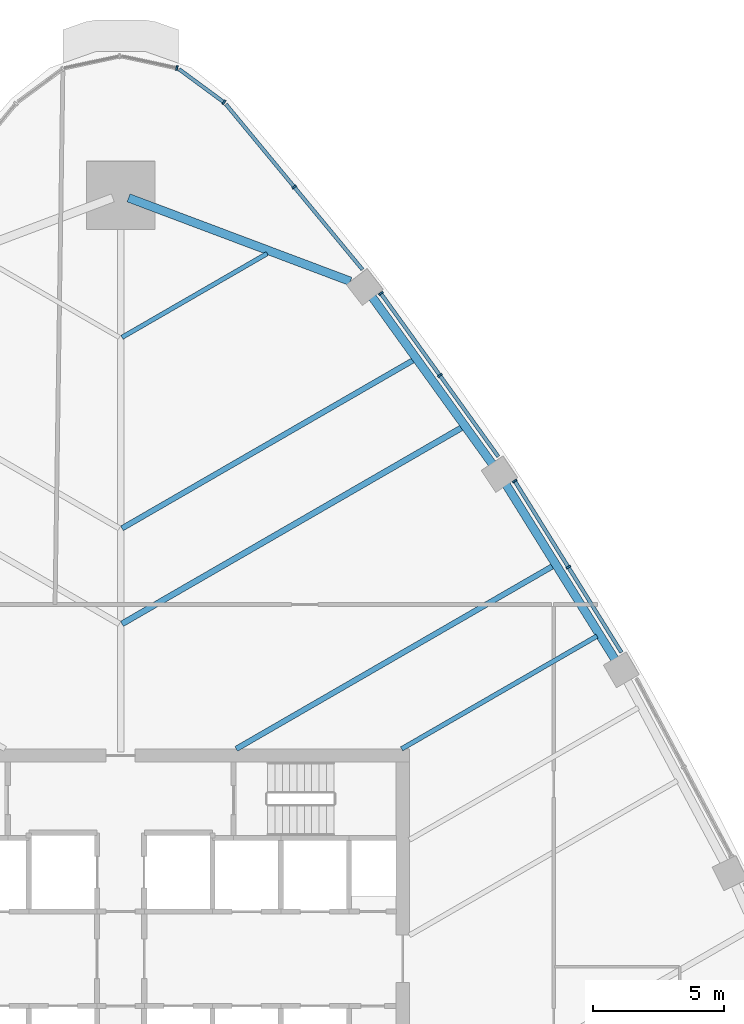
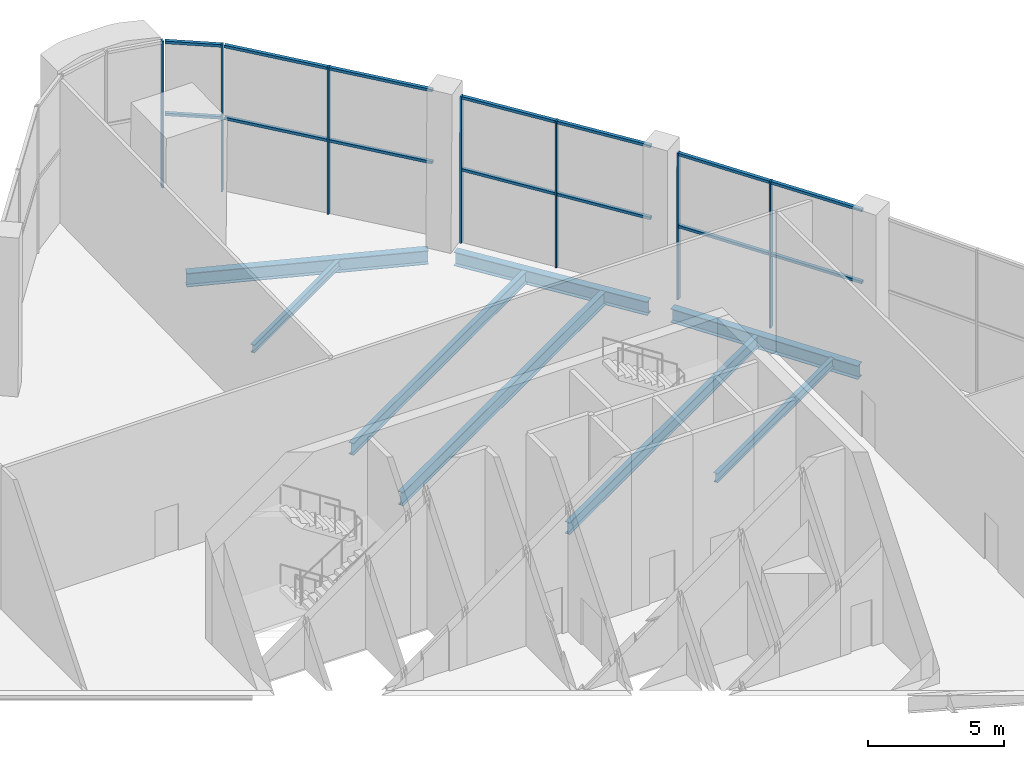
# One storey, part 7 of 15: 21 members, 8 beams, 5 elements without a shape of their own.
"""IFC4 building model written with IfcOpenShell, lengths in metres."""

from ifc_helpers import new_model, si_unit, direction, frame, origin, origin_2d, place, context, subcontext, project, spatial, rectangle, i_section, extrude, material, layer, layer_set, material_profile, profile_set, type_object, element, aggregate, save


model = new_model("IFC4")

# Units and contexts
model_context = context("Model", 3, precision=1e-05, world=origin(), true_north=direction((0.0, 1.0)))
body_context = subcontext(model_context, "Body", "Model", "MODEL_VIEW")
ifc_project = project(units=[si_unit("LENGTHUNIT", "METRE"), si_unit("AREAUNIT", "SQUARE_METRE"), si_unit("VOLUMEUNIT", "CUBIC_METRE"), si_unit("PLANEANGLEUNIT", "RADIAN"), si_unit("MASSUNIT", "GRAM", prefix="KILO")], contexts=[model_context])

# Site, building, storey
site_placement = place(None, origin())
site = spatial("IfcSite", under=ifc_project, at=site_placement, CompositionType="ELEMENT")
building_placement = place(site_placement, origin())
building = spatial("IfcBuilding", under=site, at=building_placement, Name="Sierra Prisma Convention Tower", CompositionType="ELEMENT")
storey_placement = place(building_placement, frame((0.0, 0.0, 118.60009765625)))
storey = spatial("IfcBuildingStorey", under=building, at=storey_placement, Name="L25", CompositionType="ELEMENT", Elevation=118.60009765625)

# Curtain wall, members
ifc_material_1 = material(Name="Aluminium and glass curtain wall", Category="aluminium")
ifc_layer = layer(ifc_material_1, 0.179931640625)
ifc_layer_set = layer_set([ifc_layer], Name="CW-4 Sky lobby double-height curtain wall")
curtain_wall_type = type_object("IfcCurtainWallType", Name="CW-4 Sky lobby double-height curtain wall", PredefinedType="NOTDEFINED", material=ifc_layer_set)
curtain_wall_1_placement = place(storey_placement, origin())
curtain_wall_1 = element("IfcCurtainWall", 1, at=curtain_wall_1_placement, inside=storey, type_object=curtain_wall_type, Name="CW-4 NE4 L25", PredefinedType="NOTDEFINED")
ifc_material_2 = material(Name="Aluminium 6063-T6 bronze anodised", Category="aluminium")
ifc_material_profile_1 = material_profile(ifc_material_2, rectangle(XDim=0.179931640625, YDim=0.070068359375, at=origin_2d()), Name="ALU MULLION 70x180")
ifc_profile_set_1 = profile_set([ifc_material_profile_1], Name="Aluminium 6063-T6 bronze anodised")
member_type_1 = type_object("IfcMemberType", Name="CW mullion bronze", PredefinedType="MULLION", material=ifc_profile_set_1)
member_1_placement = place(storey_placement, frame((17.05712890625, 14.925048828125, 0.0), z_axis=(0.0, 0.0, 1.0), x_axis=(-0.848844724577, -0.528642254798, 0.0)))
member_1 = element("IfcMember", 2, at=member_1_placement, type_object=member_type_1, Name="CW-4 mullion NE4.2", PredefinedType="MULLION", context=body_context, shape_type="SweptSolid", body=[
    extrude(rectangle(XDim=0.179931640625, YDim=0.070068359375, at=origin_2d()), origin(), (0.0, 0.0, 1.0), 6.599853515625),
])
member_2_placement = place(storey_placement, frame((15.014404296875, 18.205322265625, 0.0), z_axis=(0.0, 0.0, 1.0), x_axis=(-0.848844724577, -0.528642254798, 0.0)))
member_2 = element("IfcMember", 3, at=member_2_placement, type_object=member_type_1, Name="CW-4 mullion NE4.3", PredefinedType="MULLION", context=body_context, shape_type="SweptSolid", body=[
    extrude(rectangle(XDim=0.179931640625, YDim=0.070068359375, at=origin_2d()), origin(), (0.0, 0.0, 1.0), 6.599853515625),
])

curtain_wall_2_placement = place(storey_placement, origin())
curtain_wall_2 = element("IfcCurtainWall", 4, at=curtain_wall_2_placement, inside=storey, type_object=curtain_wall_type, Name="CW-4 NE5 L25", PredefinedType="NOTDEFINED")
member_3_placement = place(storey_placement, frame((12.1640625, 22.228515625, 0.0), z_axis=(0.0, 0.0, 1.0), x_axis=(-0.811662790849, -0.584126282538, 0.0)))
member_3 = element("IfcMember", 5, at=member_3_placement, type_object=member_type_1, Name="CW-4 mullion NE5.2", PredefinedType="MULLION", context=body_context, shape_type="SweptSolid", body=[
    extrude(rectangle(XDim=0.179931640625, YDim=0.070068359375, at=origin_2d()), origin(), (0.0, 0.0, 1.0), 6.599853515625),
])
member_4_placement = place(storey_placement, frame((9.915771484375, 25.3525390625, 0.0), z_axis=(0.0, 0.0, 1.0), x_axis=(-0.811662790849, -0.584126282538, 0.0)))
member_4 = element("IfcMember", 6, at=member_4_placement, type_object=member_type_1, Name="CW-4 mullion NE5.3", PredefinedType="MULLION", context=body_context, shape_type="SweptSolid", body=[
    extrude(rectangle(XDim=0.179931640625, YDim=0.070068359375, at=origin_2d()), origin(), (0.0, 0.0, 1.0), 6.599853515625),
])

# Curtain wall, member
curtain_wall_3_placement = place(storey_placement, origin())
curtain_wall_3 = element("IfcCurtainWall", 7, at=curtain_wall_3_placement, inside=storey, type_object=curtain_wall_type, Name="CW-4 NE6 L25", PredefinedType="NOTDEFINED")
member_5_placement = place(storey_placement, frame((6.6123046875, 29.41064453125, 0.0), z_axis=(0.0, 0.0, 1.0), x_axis=(-0.770860050907, -0.637004538379, 0.0)))
member_5 = element("IfcMember", 8, at=member_5_placement, type_object=member_type_1, Name="CW-4 mullion NE6.2", PredefinedType="MULLION", context=body_context, shape_type="SweptSolid", body=[
    extrude(rectangle(XDim=0.179931640625, YDim=0.070068359375, at=origin_2d()), origin(), (0.0, 0.0, 1.0), 6.599853515625),
])

curtain_wall_4_placement = place(storey_placement, origin())
curtain_wall_4 = element("IfcCurtainWall", 9, at=curtain_wall_4_placement, inside=storey, type_object=curtain_wall_type, Name="CW-4 N1 L25", PredefinedType="NOTDEFINED")
member_6_placement = place(storey_placement, frame((3.93701171875, 32.634765625, 0.0), z_axis=(0.0, 0.0, 1.0), x_axis=(-0.593251213789, -0.805017389463, 0.0)))
member_6 = element("IfcMember", 10, at=member_6_placement, type_object=member_type_1, Name="CW-4 mullion N1.1", PredefinedType="MULLION", context=body_context, shape_type="SweptSolid", body=[
    extrude(rectangle(XDim=0.179931640625, YDim=0.070068359375, at=origin_2d()), origin(), (0.0, 0.0, 1.0), 6.599853515625),
])

curtain_wall_5_placement = place(storey_placement, origin())
curtain_wall_5 = element("IfcCurtainWall", 11, at=curtain_wall_5_placement, inside=storey, type_object=curtain_wall_type, Name="CW-4 N2 L25", PredefinedType="NOTDEFINED")
member_7_placement = place(storey_placement, frame((2.140380859375, 33.94091796875, 0.0), z_axis=(0.0, 0.0, 1.0), x_axis=(-0.210119495621, -0.97767571186, 0.0)))
member_7 = element("IfcMember", 12, at=member_7_placement, type_object=member_type_1, Name="CW-4 mullion N2.1", PredefinedType="MULLION", context=body_context, shape_type="SweptSolid", body=[
    extrude(rectangle(XDim=0.179931640625, YDim=0.070068359375, at=origin_2d()), origin(), (0.0, 0.0, 1.0), 6.599853515625),
])
aggregate(curtain_wall_5, [member_7])

# Member
ifc_material_3 = material(Name="Aluminium 6063-T6 bronze anodised", Category="aluminium")
ifc_material_profile_2 = material_profile(ifc_material_3, rectangle(XDim=0.139892578125, YDim=0.1201171875, at=origin_2d()), Name="ALU TRANSOM 120x140")
ifc_profile_set_2 = profile_set([ifc_material_profile_2], Name="Aluminium 6063-T6 bronze anodised")
member_type_2 = type_object("IfcMemberType", Name="CW transom bronze", PredefinedType="USERDEFINED", material=ifc_profile_set_2)
member_8_placement = place(storey_placement, frame((19.08154296875, 11.674560546875, 6.539794921875), z_axis=(-0.528627562522, 0.848853874434, 0.0), x_axis=(-0.848853874434, -0.528627562522, 0.0)))
member_8 = element("IfcMember", 13, at=member_8_placement, type_object=member_type_2, Name="CW-4 transom NE4.1", ObjectType="TRANSOM", PredefinedType="USERDEFINED", context=body_context, shape_type="SweptSolid", body=[
    extrude(rectangle(XDim=0.139892578125, YDim=0.1201171875, at=origin_2d()), origin(), (0.0, 0.0, 1.0), 3.79443359375),
])

member_9_placement = place(storey_placement, frame((19.08154296875, 11.674560546875, 3.2998046875), z_axis=(-0.528627562522, 0.848853874434, 0.0), x_axis=(-0.848853874434, -0.528627562522, 0.0)))
member_9 = element("IfcMember", 14, at=member_9_placement, type_object=member_type_2, Name="CW-4 transom NE4.1 mid", ObjectType="TRANSOM", PredefinedType="USERDEFINED", context=body_context, shape_type="SweptSolid", body=[
    extrude(rectangle(XDim=0.139892578125, YDim=0.1201171875, at=origin_2d()), origin(), (0.0, 0.0, 1.0), 3.79443359375),
])

member_10_placement = place(storey_placement, frame((17.03857421875, 14.954833984375, 6.539794921875), z_axis=(-0.528627562522, 0.848853874434, 0.0), x_axis=(-0.848853874434, -0.528627562522, 0.0)))
member_10 = element("IfcMember", 15, at=member_10_placement, type_object=member_type_2, Name="CW-4 transom NE4.2", ObjectType="TRANSOM", PredefinedType="USERDEFINED", context=body_context, shape_type="SweptSolid", body=[
    extrude(rectangle(XDim=0.139892578125, YDim=0.1201171875, at=origin_2d()), origin(), (0.0, 0.0, 1.0), 3.79443359375),
])

member_11_placement = place(storey_placement, frame((17.03857421875, 14.954833984375, 3.2998046875), z_axis=(-0.528627562522, 0.848853874434, 0.0), x_axis=(-0.848853874434, -0.528627562522, 0.0)))
member_11 = element("IfcMember", 16, at=member_11_placement, type_object=member_type_2, Name="CW-4 transom NE4.2 mid", ObjectType="TRANSOM", PredefinedType="USERDEFINED", context=body_context, shape_type="SweptSolid", body=[
    extrude(rectangle(XDim=0.139892578125, YDim=0.1201171875, at=origin_2d()), origin(), (0.0, 0.0, 1.0), 3.79443359375),
])

aggregate(curtain_wall_1, [member_1, member_2, member_8, member_9, member_10, member_11])

member_12_placement = place(storey_placement, frame((14.391845703125, 19.1328125, 6.539794921875), z_axis=(-0.584119192899, 0.811667892975, 0.0), x_axis=(-0.811667892975, -0.584119192899, 0.0)))
member_12 = element("IfcMember", 17, at=member_12_placement, type_object=member_type_2, Name="CW-4 transom NE5.1", ObjectType="TRANSOM", PredefinedType="USERDEFINED", context=body_context, shape_type="SweptSolid", body=[
    extrude(rectangle(XDim=0.139892578125, YDim=0.1201171875, at=origin_2d()), origin(), (0.0, 0.0, 1.0), 3.77880859375),
])

member_13_placement = place(storey_placement, frame((14.391845703125, 19.1328125, 3.2998046875), z_axis=(-0.584119192899, 0.811667892975, 0.0), x_axis=(-0.811667892975, -0.584119192899, 0.0)))
member_13 = element("IfcMember", 18, at=member_13_placement, type_object=member_type_2, Name="CW-4 transom NE5.1 mid", ObjectType="TRANSOM", PredefinedType="USERDEFINED", context=body_context, shape_type="SweptSolid", body=[
    extrude(rectangle(XDim=0.139892578125, YDim=0.1201171875, at=origin_2d()), origin(), (0.0, 0.0, 1.0), 3.77880859375),
])

member_14_placement = place(storey_placement, frame((12.1435546875, 22.2568359375, 6.539794921875), z_axis=(-0.58408856283, 0.811689935118, 0.0), x_axis=(-0.811689935118, -0.58408856283, 0.0)))
member_14 = element("IfcMember", 19, at=member_14_placement, type_object=member_type_2, Name="CW-4 transom NE5.2", ObjectType="TRANSOM", PredefinedType="USERDEFINED", context=body_context, shape_type="SweptSolid", body=[
    extrude(rectangle(XDim=0.139892578125, YDim=0.1201171875, at=origin_2d()), origin(), (0.0, 0.0, 1.0), 3.779052734375),
])

member_15_placement = place(storey_placement, frame((12.1435546875, 22.2568359375, 3.2998046875), z_axis=(-0.58408856283, 0.811689935118, 0.0), x_axis=(-0.811689935118, -0.58408856283, 0.0)))
member_15 = element("IfcMember", 20, at=member_15_placement, type_object=member_type_2, Name="CW-4 transom NE5.2 mid", ObjectType="TRANSOM", PredefinedType="USERDEFINED", context=body_context, shape_type="SweptSolid", body=[
    extrude(rectangle(XDim=0.139892578125, YDim=0.1201171875, at=origin_2d()), origin(), (0.0, 0.0, 1.0), 3.779052734375),
])

aggregate(curtain_wall_2, [member_3, member_4, member_12, member_13, member_14, member_15])

member_16_placement = place(storey_placement, frame((9.21484375, 26.26123046875, 6.539794921875), z_axis=(-0.637001371276, 0.77086266805, 0.0), x_axis=(-0.77086266805, -0.637001371276, 0.0)))
member_16 = element("IfcMember", 21, at=member_16_placement, type_object=member_type_2, Name="CW-4 transom NE6.1", ObjectType="TRANSOM", PredefinedType="USERDEFINED", context=body_context, shape_type="SweptSolid", body=[
    extrude(rectangle(XDim=0.139892578125, YDim=0.1201171875, at=origin_2d()), origin(), (0.0, 0.0, 1.0), 4.05078125),
])

member_17_placement = place(storey_placement, frame((9.21484375, 26.26123046875, 3.2998046875), z_axis=(-0.637001371276, 0.77086266805, 0.0), x_axis=(-0.77086266805, -0.637001371276, 0.0)))
member_17 = element("IfcMember", 22, at=member_17_placement, type_object=member_type_2, Name="CW-4 transom NE6.1 mid", ObjectType="TRANSOM", PredefinedType="USERDEFINED", context=body_context, shape_type="SweptSolid", body=[
    extrude(rectangle(XDim=0.139892578125, YDim=0.1201171875, at=origin_2d()), origin(), (0.0, 0.0, 1.0), 4.05078125),
])

member_18_placement = place(storey_placement, frame((6.590087890625, 29.437744140625, 6.539794921875), z_axis=(-0.637030967557, 0.770838210245, 0.0), x_axis=(-0.770838210245, -0.637030967557, 0.0)))
member_18 = element("IfcMember", 23, at=member_18_placement, type_object=member_type_2, Name="CW-4 transom NE6.2", ObjectType="TRANSOM", PredefinedType="USERDEFINED", context=body_context, shape_type="SweptSolid", body=[
    extrude(rectangle(XDim=0.139892578125, YDim=0.1201171875, at=origin_2d()), origin(), (0.0, 0.0, 1.0), 4.050537109375),
])

member_19_placement = place(storey_placement, frame((6.590087890625, 29.437744140625, 3.2998046875), z_axis=(-0.637030967557, 0.770838210245, 0.0), x_axis=(-0.770838210245, -0.637030967557, 0.0)))
member_19 = element("IfcMember", 24, at=member_19_placement, type_object=member_type_2, Name="CW-4 transom NE6.2 mid", ObjectType="TRANSOM", PredefinedType="USERDEFINED", context=body_context, shape_type="SweptSolid", body=[
    extrude(rectangle(XDim=0.139892578125, YDim=0.1201171875, at=origin_2d()), origin(), (0.0, 0.0, 1.0), 4.050537109375),
])

aggregate(curtain_wall_3, [member_5, member_16, member_17, member_18, member_19])

member_20_placement = place(storey_placement, frame((3.908935546875, 32.65576171875, 6.539794921875), z_axis=(-0.805073501982, 0.593175063878, 0.0), x_axis=(-0.593175063878, -0.805073501982, 0.0)))
member_20 = element("IfcMember", 25, at=member_20_placement, type_object=member_type_2, Name="CW-4 transom N1.1", ObjectType="TRANSOM", PredefinedType="USERDEFINED", context=body_context, shape_type="SweptSolid", body=[
    extrude(rectangle(XDim=0.139892578125, YDim=0.1201171875, at=origin_2d()), origin(), (0.0, 0.0, 1.0), 2.084228515625),
])

member_21_placement = place(storey_placement, frame((3.908935546875, 32.65576171875, 3.2998046875), z_axis=(-0.805073501982, 0.593175063878, 0.0), x_axis=(-0.593175063878, -0.805073501982, 0.0)))
member_21 = element("IfcMember", 26, at=member_21_placement, type_object=member_type_2, Name="CW-4 transom N1.1 mid", ObjectType="TRANSOM", PredefinedType="USERDEFINED", context=body_context, shape_type="SweptSolid", body=[
    extrude(rectangle(XDim=0.139892578125, YDim=0.1201171875, at=origin_2d()), origin(), (0.0, 0.0, 1.0), 2.084228515625),
])

aggregate(curtain_wall_4, [member_6, member_20, member_21])

# Beams
ifc_material_4 = material(Name="Steel ASTM A992 Gr 50", Category="steel")
ifc_material_profile_3 = material_profile(ifc_material_4, i_section(OverallWidth=0.172119140625, OverallDepth=0.35791015625, WebThickness=0.0078125, FlangeThickness=0.01318359375, at=origin_2d()), Name="W360x57")
ifc_profile_set_3 = profile_set([ifc_material_profile_3], Name="Steel ASTM A992 Gr 50")
beam_type_1 = type_object("IfcBeamType", Name="Floor joist W360x57", PredefinedType="JOIST", material=ifc_profile_set_3)
beam_1_placement = place(storey_placement, frame((5.584228515625, 26.87451171875, -0.3291015625), z_axis=(-0.866019511163, -0.500010206181, 0.0), x_axis=(0.500010206181, -0.866019511163, 0.0)))
element("IfcBeam", 27, at=beam_1_placement, inside=storey, type_object=beam_type_1, Name="Floor joist L25 NE15", PredefinedType="JOIST", context=body_context, shape_type="SweptSolid", body=[
    extrude(i_section(OverallWidth=0.172119140625, OverallDepth=0.35791015625, WebThickness=0.0078125, FlangeThickness=0.01318359375, at=origin_2d()), origin(), (0.0, 0.0, 1.0), 6.389404296875),
])
ifc_material_5 = material(Name="Steel ASTM A992 Gr 50", Category="steel")
ifc_material_profile_4 = material_profile(ifc_material_5, i_section(OverallWidth=0.177978515625, OverallDepth=0.406982421875, WebThickness=0.0078125, FlangeThickness=0.0126953125, at=origin_2d()), Name="W410x60")
ifc_profile_set_4 = profile_set([ifc_material_profile_4], Name="Steel ASTM A992 Gr 50")
beam_type_2 = type_object("IfcBeamType", Name="Floor joist W410x60", PredefinedType="JOIST", material=ifc_profile_set_4)
beam_2_placement = place(storey_placement, frame((18.14892578125, 12.297607421875, -0.353515625), z_axis=(-0.866023341858, -0.500003571345, 0.0), x_axis=(0.500003571345, -0.866023341858, 0.0)))
element("IfcBeam", 28, at=beam_2_placement, inside=storey, type_object=beam_type_2, Name="Floor joist L25 NE09", PredefinedType="JOIST", context=body_context, shape_type="SweptSolid", body=[
    extrude(i_section(OverallWidth=0.177978515625, OverallDepth=0.406982421875, WebThickness=0.0078125, FlangeThickness=0.0126953125, at=origin_2d()), origin(), (0.0, 0.0, 1.0), 8.59521484375),
])
ifc_material_6 = material(Name="Steel ASTM A992 Gr 50", Category="steel")
ifc_material_profile_5 = material_profile(ifc_material_6, i_section(OverallWidth=0.208984375, OverallDepth=0.532958984375, WebThickness=0.01025390625, FlangeThickness=0.015625, at=origin_2d()), Name="W530x92")
ifc_profile_set_5 = profile_set([ifc_material_profile_5], Name="Steel ASTM A992 Gr 50")
beam_type_3 = type_object("IfcBeamType", Name="Floor joist W530x92", PredefinedType="JOIST", material=ifc_profile_set_5)
beam_3_placement = place(storey_placement, frame((16.482177734375, 14.973876953125, -0.41650390625), z_axis=(-0.866020890646, -0.500007816904, 0.0), x_axis=(0.500007816904, -0.866020890646, 0.0)))
element("IfcBeam", 29, at=beam_3_placement, inside=storey, type_object=beam_type_3, Name="Floor joist L25 NE10", PredefinedType="JOIST", context=body_context, shape_type="SweptSolid", body=[
    extrude(i_section(OverallWidth=0.208984375, OverallDepth=0.532958984375, WebThickness=0.01025390625, FlangeThickness=0.015625, at=origin_2d()), origin(), (0.0, 0.0, 1.0), 13.947509765625),
])
beam_4_placement = place(storey_placement, frame((11.167724609375, 22.821044921875, -0.41650390625), z_axis=(-0.866022476149, -0.50000507078, 0.0), x_axis=(0.50000507078, -0.866022476149, 0.0)))
element("IfcBeam", 30, at=beam_4_placement, inside=storey, type_object=beam_type_3, Name="Floor joist L25 NE13", PredefinedType="JOIST", context=body_context, shape_type="SweptSolid", body=[
    extrude(i_section(OverallWidth=0.208984375, OverallDepth=0.532958984375, WebThickness=0.01025390625, FlangeThickness=0.015625, at=origin_2d()), origin(), (0.0, 0.0, 1.0), 12.836669921875),
])
ifc_material_7 = material(Name="Steel ASTM A992 Gr 50", Category="steel")
ifc_material_profile_6 = material_profile(ifc_material_7, i_section(OverallWidth=0.22802734375, OverallDepth=0.60302734375, WebThickness=0.010498046875, FlangeThickness=0.014892578125, at=origin_2d()), Name="W610x101")
ifc_profile_set_6 = profile_set([ifc_material_profile_6], Name="Steel ASTM A992 Gr 50")
beam_type_4 = type_object("IfcBeamType", Name="Floor joist W610x101", PredefinedType="JOIST", material=ifc_profile_set_6)
beam_5_placement = place(storey_placement, frame((13.017578125, 20.25048828125, -0.45166015625), z_axis=(-0.866027010039, -0.499997217876, 0.0), x_axis=(0.499997217876, -0.866027010039, 0.0)))
element("IfcBeam", 31, at=beam_5_placement, inside=storey, type_object=beam_type_4, Name="Floor joist L25 NE12", PredefinedType="JOIST", context=body_context, shape_type="SweptSolid", body=[
    extrude(i_section(OverallWidth=0.22802734375, OverallDepth=0.60302734375, WebThickness=0.010498046875, FlangeThickness=0.014892578125, at=origin_2d()), origin(), (0.0, 0.0, 1.0), 14.97265625),
])
ifc_material_8 = material(Name="Steel ASTM A992 Gr 50", Category="steel")
ifc_material_profile_7 = material_profile(ifc_material_8, i_section(OverallWidth=0.324951171875, OverallDepth=0.615966796875, WebThickness=0.013916015625, FlangeThickness=0.021484375, at=origin_2d()), Name="W610x174")
ifc_profile_set_7 = profile_set([ifc_material_profile_7], Name="Steel ASTM A992 Gr 50")
beam_type_5 = type_object("IfcBeamType", Name="Spandrel beam W610x174", PredefinedType="BEAM", material=ifc_profile_set_7)
beam_6_placement = place(storey_placement, frame((18.825927734375, 11.42333984375, -0.4580078125), z_axis=(-0.528644115312, 0.848843565886, 0.0), x_axis=(-0.848843565886, -0.528644115312, 0.0)))
element("IfcBeam", 32, at=beam_6_placement, inside=storey, type_object=beam_type_5, Name="Spandrel L25-10", PredefinedType="BEAM", context=body_context, shape_type="SweptSolid", body=[
    extrude(i_section(OverallWidth=0.324951171875, OverallDepth=0.615966796875, WebThickness=0.013916015625, FlangeThickness=0.021484375, at=origin_2d()), origin(), (0.0, 0.0, 1.0), 7.827392578125),
])
beam_7_placement = place(storey_placement, frame((14.153564453125, 18.865234375, -0.4580078125), z_axis=(-0.584123116899, 0.811665069042, 0.0), x_axis=(-0.811665069042, -0.584123116899, 0.0)))
element("IfcBeam", 33, at=beam_7_placement, inside=storey, type_object=beam_type_5, Name="Spandrel L25-11", PredefinedType="BEAM", context=body_context, shape_type="SweptSolid", body=[
    extrude(i_section(OverallWidth=0.324951171875, OverallDepth=0.615966796875, WebThickness=0.013916015625, FlangeThickness=0.021484375, at=origin_2d()), origin(), (0.0, 0.0, 1.0), 7.8271484375),
])
beam_8_placement = place(storey_placement, frame((8.7529296875, 25.814208984375, -0.4580078125), z_axis=(-0.935916392655, 0.352222239445, 0.0), x_axis=(-0.352222239445, -0.935916392655, 0.0)))
element("IfcBeam", 34, at=beam_8_placement, inside=storey, type_object=beam_type_5, Name="Spandrel L25-12", PredefinedType="BEAM", context=body_context, shape_type="SweptSolid", body=[
    extrude(i_section(OverallWidth=0.324951171875, OverallDepth=0.615966796875, WebThickness=0.013916015625, FlangeThickness=0.021484375, at=origin_2d()), origin(), (0.0, 0.0, 1.0), 9.03173828125),
])

save(model, "model.ifc")
